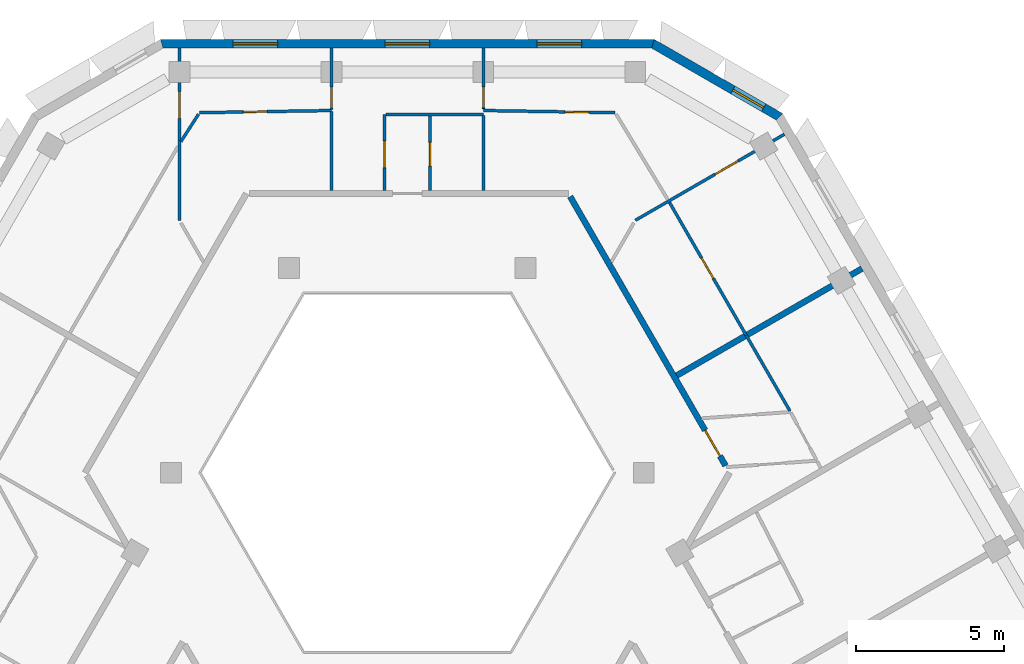
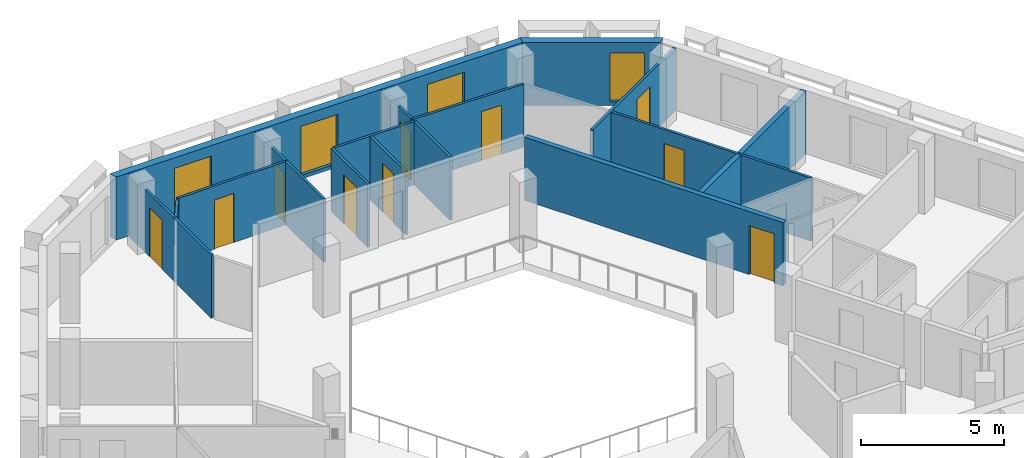
# One storey, part 7 of 14: 18 walls, 10 doors, 4 windows, 14 openings.
"""IFC4 building model written with IfcOpenShell, lengths in metres."""

from ifc_helpers import new_model, si_unit, direction, frame, frame_2d, origin, place, context, subcontext, project, spatial, polyline, rectangle, outline, extrude, material, layer, layer_set, type_object, element, fill, save


model = new_model("IFC4")

# Units and contexts
model_context = context("Model", 3, precision=1e-05, world=origin(), true_north=direction((0.0, 1.0)))
body_context = subcontext(model_context, "Body", "Model", "MODEL_VIEW")
ifc_project = project(units=[si_unit("LENGTHUNIT", "METRE"), si_unit("AREAUNIT", "SQUARE_METRE"), si_unit("VOLUMEUNIT", "CUBIC_METRE"), si_unit("PLANEANGLEUNIT", "RADIAN"), si_unit("MASSUNIT", "GRAM", prefix="KILO")], contexts=[model_context])

# Site, building, storey
site_placement = place(None, origin())
site = spatial("IfcSite", under=ifc_project, at=site_placement, CompositionType="ELEMENT")
building_placement = place(site_placement, origin())
building = spatial("IfcBuilding", under=site, at=building_placement, Name="Beryl Residences", CompositionType="ELEMENT")
storey_placement = place(building_placement, frame((0.0, 0.0, 229.800048828125)))
storey = spatial("IfcBuildingStorey", under=building, at=storey_placement, Name="L71", CompositionType="ELEMENT", Elevation=229.800048828125)

# Wall, openings, windows
ifc_material_1 = material(Name="Composite metal panel with mineral wool insulation")
ifc_layer_1 = layer(ifc_material_1, 0.300048828125)
ifc_layer_set_1 = layer_set([ifc_layer_1], Name="ES1 pale metal composite panel wall 300 mm")
wall_type_1 = type_object("IfcWallType", Name="ES1 pale metal composite panel wall 300 mm", PredefinedType="SOLIDWALL", material=ifc_layer_set_1)
wall_1_placement = place(storey_placement, frame((8.31396484375, 22.449951171875, 0.0), z_axis=(0.0, 0.0, 1.0), x_axis=(-1.0, 0.0, 0.0)))
wall_1 = element("IfcWall", 1, at=wall_1_placement, inside=storey, type_object=wall_type_1, Name="ES1 external wall L71 N", PredefinedType="SOLIDWALL", context=body_context, shape_type="SweptSolid", body=[
    extrude(outline(polyline([(0.0, -0.14990234375), (16.6279296875, -0.14990234375), (16.547607421875, 0.14990234375), (0.080322265625, 0.14990234375), (0.0, -0.14990234375)])), origin(), (0.0, 0.0, 1.0), 2.699951171875),
])
opening_1_placement = place(wall_1_placement, frame((2.444091796875, 0.0, 0.14990234375)))
opening_1 = element("IfcOpeningElement", 2, at=opening_1_placement, cuts=wall_1, Name="Opening W1", PredefinedType="OPENING", context=body_context, shape_type="SweptSolid", body=[
    extrude(rectangle(XDim=1.5, YDim=2.10009765625, at=frame_2d((0.75, 1.050048828125))), frame((0.0, 0.159912109375, 0.0), z_axis=(0.0, -1.0, 0.0), x_axis=(1.0, 0.0, 0.0)), (0.0, 0.0, 1.0), 0.320068359375),
])
opening_2_placement = place(wall_1_placement, frame((7.56396484375, 0.0, 0.14990234375)))
opening_2 = element("IfcOpeningElement", 3, at=opening_2_placement, cuts=wall_1, Name="Opening W1", PredefinedType="OPENING", context=body_context, shape_type="SweptSolid", body=[
    extrude(rectangle(XDim=1.5, YDim=2.10009765625, at=frame_2d((0.75, 1.050048828125))), frame((0.0, 0.159912109375, 0.0), z_axis=(0.0, -1.0, 0.0), x_axis=(1.0, 0.0, 0.0)), (0.0, 0.0, 1.0), 0.320068359375),
])
opening_3_placement = place(wall_1_placement, frame((12.68310546875, 0.0, 0.14990234375)))
opening_3 = element("IfcOpeningElement", 4, at=opening_3_placement, cuts=wall_1, Name="Opening W1", PredefinedType="OPENING", context=body_context, shape_type="SweptSolid", body=[
    extrude(rectangle(XDim=1.5, YDim=2.10009765625, at=frame_2d((0.75, 1.050048828125))), frame((0.0, 0.159912109375, 0.0), z_axis=(0.0, -1.0, 0.0), x_axis=(1.0, 0.0, 0.0)), (0.0, 0.0, 1.0), 0.320068359375),
])
ifc_material_2 = material(Name="Aluminium and clear glass", Category="aluminium")
window_type_1 = type_object("IfcWindowType", Name="W1 cell window 1500 x 2100 mm", PartitioningType="SINGLE_PANEL", PredefinedType="WINDOW", material=ifc_material_2)
window_1_placement = place(opening_1_placement, origin())
window_1 = element("IfcWindow", 5, at=window_1_placement, inside=storey, type_object=window_type_1, Name="W1 window L71 N 2", OverallHeight=2.10009765625, OverallWidth=1.5, PartitioningType="SINGLE_PANEL", PredefinedType="WINDOW", context=body_context, shape_type="SweptSolid", body=[
    extrude(rectangle(XDim=1.5, YDim=2.10009765625, at=frame_2d((0.75, 1.050048828125))), frame((0.0, 0.030029296875, 0.0), z_axis=(0.0, -1.0, 0.0), x_axis=(1.0, 0.0, 0.0)), (0.0, 0.0, 1.0), 0.06005859375),
])
fill(opening_1, window_1)
window_2_placement = place(opening_2_placement, origin())
window_2 = element("IfcWindow", 6, at=window_2_placement, inside=storey, type_object=window_type_1, Name="W1 window L71 N 4", OverallHeight=2.10009765625, OverallWidth=1.5, PartitioningType="SINGLE_PANEL", PredefinedType="WINDOW", context=body_context, shape_type="SweptSolid", body=[
    extrude(rectangle(XDim=1.5, YDim=2.10009765625, at=frame_2d((0.75, 1.050048828125))), frame((0.0, 0.030029296875, 0.0), z_axis=(0.0, -1.0, 0.0), x_axis=(1.0, 0.0, 0.0)), (0.0, 0.0, 1.0), 0.06005859375),
])
fill(opening_2, window_2)
window_3_placement = place(opening_3_placement, origin())
window_3 = element("IfcWindow", 7, at=window_3_placement, inside=storey, type_object=window_type_1, Name="W1 window L71 N 6", OverallHeight=2.10009765625, OverallWidth=1.5, PartitioningType="SINGLE_PANEL", PredefinedType="WINDOW", context=body_context, shape_type="SweptSolid", body=[
    extrude(rectangle(XDim=1.5, YDim=2.10009765625, at=frame_2d((0.75, 1.050048828125))), frame((0.0, 0.030029296875, 0.0), z_axis=(0.0, -1.0, 0.0), x_axis=(1.0, 0.0, 0.0)), (0.0, 0.0, 1.0), 0.06005859375),
])
fill(opening_3, window_3)

# Wall, opening, window
wall_2_placement = place(storey_placement, frame((12.569091796875, 19.969970703125, 0.0), z_axis=(0.0, 0.0, 1.0), x_axis=(-0.866022959057, 0.500004234368, 0.0)))
wall_2 = element("IfcWall", 8, at=wall_2_placement, inside=storey, type_object=wall_type_1, Name="ES1 external wall L71 NE-N", PredefinedType="SOLIDWALL", context=body_context, shape_type="SweptSolid", body=[
    extrude(outline(polyline([(0.0, -0.14990234375), (5.0, -0.14990234375), (4.919677734375, 0.14990234375), (0.080322265625, 0.14990234375), (0.0, -0.14990234375)])), origin(), (0.0, 0.0, 1.0), 2.699951171875),
])
opening_4_placement = place(wall_2_placement, frame((0.64990234375, 0.0, 0.14990234375)))
opening_4 = element("IfcOpeningElement", 9, at=opening_4_placement, cuts=wall_2, Name="Opening W2", PredefinedType="OPENING", context=body_context, shape_type="SweptSolid", body=[
    extrude(rectangle(XDim=1.199951171875, YDim=2.10009765625, at=frame_2d((0.60009765625, 1.050048828125))), frame((0.0, 0.159912109375, 0.0), z_axis=(0.0, -1.0, 0.0), x_axis=(1.0, 0.0, 0.0)), (0.0, 0.0, 1.0), 0.320068359375),
])
ifc_material_3 = material(Name="Aluminium and clear glass", Category="aluminium")
window_type_2 = type_object("IfcWindowType", Name="W2 chamfer window 1200 x 2100 mm", PartitioningType="SINGLE_PANEL", PredefinedType="WINDOW", material=ifc_material_3)
window_4_placement = place(opening_4_placement, origin())
window_4 = element("IfcWindow", 10, at=window_4_placement, inside=storey, type_object=window_type_2, Name="W2 window L71 NE-N 1", OverallHeight=2.10009765625, OverallWidth=1.199951171875, PartitioningType="SINGLE_PANEL", PredefinedType="WINDOW", context=body_context, shape_type="SweptSolid", body=[
    extrude(rectangle(XDim=1.199951171875, YDim=2.10009765625, at=frame_2d((0.60009765625, 1.050048828125))), frame((0.0, 0.030029296875, 0.0), z_axis=(0.0, -1.0, 0.0), x_axis=(1.0, 0.0, 0.0)), (0.0, 0.0, 1.0), 0.06005859375),
])
fill(opening_4, window_4)

# Wall, opening, door
ifc_material_4 = material(Name="Gypsum board partition on steel studs", Category="steel")
ifc_layer_2 = layer(ifc_material_4, 0.10009765625)
ifc_layer_set_2 = layer_set([ifc_layer_2], Name="PT1 partition 100 mm gypsum board on steel studs")
wall_type_2 = type_object("IfcWallType", Name="PT1 partition 100 mm gypsum board on steel studs", PredefinedType="PARTITIONING", material=ifc_layer_set_2)
wall_3_placement = place(storey_placement, frame((8.8291015625, 17.10693359375, 0.0), z_axis=(0.0, 0.0, 1.0), x_axis=(0.500035512416, -0.866004899711, 0.0)))
wall_3 = element("IfcWall", 11, at=wall_3_placement, inside=storey, type_object=wall_type_2, Name="Wall PT1 L71 004", PredefinedType="PARTITIONING", context=body_context, shape_type="SweptSolid", body=[
    extrude(rectangle(XDim=5.17529296875, YDim=0.10009765625, at=frame_2d((2.587646484375, 0.0))), origin(), (0.0, 0.0, 1.0), 2.699951171875),
])
opening_5_placement = place(wall_3_placement, frame((2.1630859375, 0.0, 0.0)))
opening_5 = element("IfcOpeningElement", 12, at=opening_5_placement, cuts=wall_3, Name="Opening D2207", PredefinedType="OPENING", context=body_context, shape_type="SweptSolid", body=[
    extrude(rectangle(XDim=0.800048828125, YDim=2.10009765625, at=frame_2d((0.39990234375, 1.050048828125))), frame((0.0, 0.06005859375, 0.0), z_axis=(0.0, -1.0, 0.0), x_axis=(1.0, 0.0, 0.0)), (0.0, 0.0, 1.0), 0.1201171875),
])
ifc_material_5 = material(Name="Timber door leaf", Category="wood")
door_type_1 = type_object("IfcDoorType", Name="D3 bathroom door 800 x 2100 mm", OperationType="SINGLE_SWING_LEFT", PredefinedType="DOOR", material=ifc_material_5)
door_1_placement = place(opening_5_placement, origin())
door_1 = element("IfcDoor", 13, at=door_1_placement, inside=storey, type_object=door_type_1, Name="Door D2207 L71 001", OperationType="SINGLE_SWING_LEFT", OverallHeight=2.10009765625, OverallWidth=0.800048828125, PredefinedType="DOOR", context=body_context, shape_type="SweptSolid", body=[
    extrude(rectangle(XDim=0.800048828125, YDim=2.10009765625, at=frame_2d((0.39990234375, 1.050048828125))), frame((0.0, 0.02490234375, 0.0), z_axis=(0.0, -1.0, 0.0), x_axis=(1.0, 0.0, 0.0)), (0.0, 0.0, 1.0), 0.050048828125),
])
fill(opening_5, door_1)

# Wall
wall_4_placement = place(storey_placement, frame((-2.55908203125, 20.169921875, 0.0), z_axis=(0.0, 0.0, 1.0), x_axis=(0.0, -1.0, 0.0)))
element("IfcWall", 14, at=wall_4_placement, inside=storey, type_object=wall_type_2, Name="Wall PT1 L71 010", PredefinedType="PARTITIONING", context=body_context, shape_type="SweptSolid", body=[
    extrude(rectangle(XDim=2.669921875, YDim=0.10009765625, at=frame_2d((1.3349609375, 0.0))), origin(), (0.0, 0.0, 1.0), 2.699951171875),
])

# Wall, opening, door
wall_5_placement = place(storey_placement, frame((2.56005859375, 22.300048828125, 0.0), z_axis=(0.0, 0.0, 1.0), x_axis=(0.0, -1.0, 0.0)))
wall_5 = element("IfcWall", 15, at=wall_5_placement, inside=storey, type_object=wall_type_2, Name="Wall PT1 L71 011", PredefinedType="PARTITIONING", context=body_context, shape_type="SweptSolid", body=[
    extrude(rectangle(XDim=2.050048828125, YDim=0.10009765625, at=frame_2d((1.02490234375, 0.0))), origin(), (0.0, 0.0, 1.0), 2.699951171875),
])
opening_6_placement = place(wall_5_placement, frame((1.300048828125, 0.0, 0.0)))
opening_6 = element("IfcOpeningElement", 16, at=opening_6_placement, cuts=wall_5, Name="Opening D2205", PredefinedType="OPENING", context=body_context, shape_type="SweptSolid", body=[
    extrude(rectangle(XDim=0.699951171875, YDim=2.10009765625, at=frame_2d((0.35009765625, 1.050048828125))), frame((0.0, 0.06005859375, 0.0), z_axis=(0.0, -1.0, 0.0), x_axis=(1.0, 0.0, 0.0)), (0.0, 0.0, 1.0), 0.1201171875),
])
ifc_material_6 = material(Name="Timber door leaf", Category="wood")
door_type_2 = type_object("IfcDoorType", Name="D14 room door 700 x 2100 mm", OperationType="SINGLE_SWING_LEFT", PredefinedType="DOOR", material=ifc_material_6)
door_2_placement = place(opening_6_placement, origin())
door_2 = element("IfcDoor", 17, at=door_2_placement, inside=storey, type_object=door_type_2, Name="Door D2205 L71 001", OperationType="SINGLE_SWING_LEFT", OverallHeight=2.10009765625, OverallWidth=0.699951171875, PredefinedType="DOOR", context=body_context, shape_type="SweptSolid", body=[
    extrude(rectangle(XDim=0.699951171875, YDim=2.10009765625, at=frame_2d((0.35009765625, 1.050048828125))), frame((0.0, 0.02490234375, 0.0), z_axis=(0.0, -1.0, 0.0), x_axis=(1.0, 0.0, 0.0)), (0.0, 0.0, 1.0), 0.050048828125),
])
fill(opening_6, door_2)

# Wall
wall_6_placement = place(storey_placement, frame((2.56005859375, 20.030029296875, 0.0), z_axis=(0.0, 0.0, 1.0), x_axis=(0.0, -1.0, 0.0)))
element("IfcWall", 18, at=wall_6_placement, inside=storey, type_object=wall_type_2, Name="Wall PT1 L71 012", PredefinedType="PARTITIONING", context=body_context, shape_type="SweptSolid", body=[
    extrude(rectangle(XDim=2.530029296875, YDim=0.10009765625, at=frame_2d((1.26513671875, 0.0))), origin(), (0.0, 0.0, 1.0), 2.699951171875),
])

# Wall, opening, door
wall_7_placement = place(storey_placement, frame((2.56005859375, 20.199951171875, 0.0), z_axis=(0.0, 0.0, 1.0), x_axis=(0.999868576801, -0.016212005615, 0.0)))
wall_7 = element("IfcWall", 19, at=wall_7_placement, inside=storey, type_object=wall_type_2, Name="Wall PT1 L71 013", PredefinedType="PARTITIONING", context=body_context, shape_type="SweptSolid", body=[
    extrude(rectangle(XDim=4.4423828125, YDim=0.10009765625, at=frame_2d((2.22119140625, 0.0))), origin(), (0.0, 0.0, 1.0), 2.699951171875),
])
opening_7_placement = place(wall_7_placement, frame((2.74609375, 0.0, 0.0)))
opening_7 = element("IfcOpeningElement", 20, at=opening_7_placement, cuts=wall_7, Name="Opening D2208", PredefinedType="OPENING", context=body_context, shape_type="SweptSolid", body=[
    extrude(rectangle(XDim=0.800048828125, YDim=2.10009765625, at=frame_2d((0.39990234375, 1.050048828125))), frame((0.0, 0.06005859375, 0.0), z_axis=(0.0, -1.0, 0.0), x_axis=(1.0, 0.0, 0.0)), (0.0, 0.0, 1.0), 0.1201171875),
])
door_3_placement = place(opening_7_placement, origin())
door_3 = element("IfcDoor", 21, at=door_3_placement, inside=storey, type_object=door_type_1, Name="Door D2208 L71 001", OperationType="SINGLE_SWING_RIGHT", OverallHeight=2.10009765625, OverallWidth=0.800048828125, PredefinedType="DOOR", context=body_context, shape_type="SweptSolid", body=[
    extrude(rectangle(XDim=0.800048828125, YDim=2.10009765625, at=frame_2d((0.39990234375, 1.050048828125))), frame((0.0, 0.02490234375, 0.0), z_axis=(0.0, -1.0, 0.0), x_axis=(1.0, 0.0, 0.0)), (0.0, 0.0, 1.0), 0.050048828125),
])
fill(opening_7, door_3)

# Walls
wall_8_placement = place(storey_placement, frame((-0.716064453125, 20.06005859375, 0.0), z_axis=(0.0, 0.0, 1.0), x_axis=(1.0, 0.0, 0.0)))
element("IfcWall", 22, at=wall_8_placement, inside=storey, type_object=wall_type_2, Name="Wall PT1 L71 021", PredefinedType="PARTITIONING", context=body_context, shape_type="SweptSolid", body=[
    extrude(rectangle(XDim=3.276123046875, YDim=0.10009765625, at=frame_2d((1.63818359375, 0.0))), origin(), (0.0, 0.0, 1.0), 2.699951171875),
])
wall_9_placement = place(storey_placement, frame((-7.6279296875, 19.154052734375, 0.0), z_axis=(0.0, 0.0, 1.0), x_axis=(0.540600102017, 0.841279697663, 0.0)))
element("IfcWall", 23, at=wall_9_placement, inside=storey, type_object=wall_type_2, Name="Wall PT1 L71 022", PredefinedType="PARTITIONING", context=body_context, shape_type="SweptSolid", body=[
    extrude(rectangle(XDim=1.096923828125, YDim=0.10009765625, at=frame_2d((0.54833984375, 0.0))), origin(), (0.0, 0.0, 1.0), 2.699951171875),
])

# Wall, opening, door
wall_10_placement = place(storey_placement, frame((0.76806640625, 17.5, 0.0), z_axis=(0.0, 0.0, 1.0), x_axis=(0.0, 1.0, 0.0)))
wall_10 = element("IfcWall", 24, at=wall_10_placement, inside=storey, type_object=wall_type_2, Name="Wall PT1 L71 027", PredefinedType="PARTITIONING", context=body_context, shape_type="SweptSolid", body=[
    extrude(rectangle(XDim=2.510009765625, YDim=0.10009765625, at=frame_2d((1.2548828125, 0.0))), origin(), (0.0, 0.0, 1.0), 2.699951171875),
])
opening_8_placement = place(wall_10_placement, frame((0.830078125, 0.0, 0.0)))
opening_8 = element("IfcOpeningElement", 25, at=opening_8_placement, cuts=wall_10, Name="Opening D2203", PredefinedType="OPENING", context=body_context, shape_type="SweptSolid", body=[
    extrude(rectangle(XDim=0.800048828125, YDim=2.10009765625, at=frame_2d((0.39990234375, 1.050048828125))), frame((0.0, 0.06005859375, 0.0), z_axis=(0.0, -1.0, 0.0), x_axis=(1.0, 0.0, 0.0)), (0.0, 0.0, 1.0), 0.1201171875),
])
door_4_placement = place(opening_8_placement, origin())
door_4 = element("IfcDoor", 26, at=door_4_placement, inside=storey, type_object=door_type_1, Name="Door D2203 L71 001", OperationType="SINGLE_SWING_LEFT", OverallHeight=2.10009765625, OverallWidth=0.800048828125, PredefinedType="DOOR", context=body_context, shape_type="SweptSolid", body=[
    extrude(rectangle(XDim=0.800048828125, YDim=2.10009765625, at=frame_2d((0.39990234375, 1.050048828125))), frame((0.0, 0.02490234375, 0.0), z_axis=(0.0, -1.0, 0.0), x_axis=(1.0, 0.0, 0.0)), (0.0, 0.0, 1.0), 0.050048828125),
])
fill(opening_8, door_4)

wall_11_placement = place(storey_placement, frame((-7.677978515625, 16.4990234375, 0.0), z_axis=(0.0, 0.0, 1.0), x_axis=(0.0, 1.0, 0.0)))
wall_11 = element("IfcWall", 27, at=wall_11_placement, inside=storey, type_object=wall_type_2, Name="Wall PT1 L71 028", PredefinedType="PARTITIONING", context=body_context, shape_type="SweptSolid", body=[
    extrude(rectangle(XDim=5.801025390625, YDim=0.10009765625, at=frame_2d((2.900390625, 0.0))), origin(), (0.0, 0.0, 1.0), 2.699951171875),
])
opening_9_placement = place(wall_11_placement, frame((3.43994140625, 0.0, 0.0)))
opening_9 = element("IfcOpeningElement", 28, at=opening_9_placement, cuts=wall_11, Name="Opening D2210", PredefinedType="OPENING", context=body_context, shape_type="SweptSolid", body=[
    extrude(rectangle(XDim=0.89990234375, YDim=2.10009765625, at=frame_2d((0.449951171875, 1.050048828125))), frame((0.0, 0.06005859375, 0.0), z_axis=(0.0, -1.0, 0.0), x_axis=(1.0, 0.0, 0.0)), (0.0, 0.0, 1.0), 0.1201171875),
])
ifc_material_7 = material(Name="Timber door leaf", Category="wood")
door_type_3 = type_object("IfcDoorType", Name="D2 room door 900 x 2100 mm", OperationType="SINGLE_SWING_LEFT", PredefinedType="DOOR", material=ifc_material_7)
door_5_placement = place(opening_9_placement, origin())
door_5 = element("IfcDoor", 29, at=door_5_placement, inside=storey, type_object=door_type_3, Name="Door D2210 L71 001", OperationType="SINGLE_SWING_RIGHT", OverallHeight=2.10009765625, OverallWidth=0.89990234375, PredefinedType="DOOR", context=body_context, shape_type="SweptSolid", body=[
    extrude(rectangle(XDim=0.89990234375, YDim=2.10009765625, at=frame_2d((0.449951171875, 1.050048828125))), frame((0.0, 0.02490234375, 0.0), z_axis=(0.0, -1.0, 0.0), x_axis=(1.0, 0.0, 0.0)), (0.0, 0.0, 1.0), 0.050048828125),
])
fill(opening_9, door_5)

wall_12_placement = place(storey_placement, frame((-0.76708984375, 17.5, 0.0), z_axis=(0.0, 0.0, 1.0), x_axis=(0.0, 1.0, 0.0)))
wall_12 = element("IfcWall", 30, at=wall_12_placement, inside=storey, type_object=wall_type_2, Name="Wall PT1 L71 029", PredefinedType="PARTITIONING", context=body_context, shape_type="SweptSolid", body=[
    extrude(rectangle(XDim=2.55908203125, YDim=0.10009765625, at=frame_2d((1.279541015625, 0.0))), origin(), (0.0, 0.0, 1.0), 2.699951171875),
])
opening_10_placement = place(wall_12_placement, frame((0.780029296875, 0.0, 0.0)))
opening_10 = element("IfcOpeningElement", 31, at=opening_10_placement, cuts=wall_12, Name="Opening D2202", PredefinedType="OPENING", context=body_context, shape_type="SweptSolid", body=[
    extrude(rectangle(XDim=0.89990234375, YDim=2.10009765625, at=frame_2d((0.449951171875, 1.050048828125))), frame((0.0, 0.06005859375, 0.0), z_axis=(0.0, -1.0, 0.0), x_axis=(1.0, 0.0, 0.0)), (0.0, 0.0, 1.0), 0.1201171875),
])
door_6_placement = place(opening_10_placement, origin())
door_6 = element("IfcDoor", 32, at=door_6_placement, inside=storey, type_object=door_type_3, Name="Door D2202 L71 001", OperationType="SINGLE_SWING_RIGHT", OverallHeight=2.10009765625, OverallWidth=0.89990234375, PredefinedType="DOOR", context=body_context, shape_type="SweptSolid", body=[
    extrude(rectangle(XDim=0.89990234375, YDim=2.10009765625, at=frame_2d((0.449951171875, 1.050048828125))), frame((0.0, 0.02490234375, 0.0), z_axis=(0.0, -1.0, 0.0), x_axis=(1.0, 0.0, 0.0)), (0.0, 0.0, 1.0), 0.050048828125),
])
fill(opening_10, door_6)

wall_13_placement = place(storey_placement, frame((-2.55908203125, 20.22998046875, 0.0), z_axis=(0.0, 0.0, 1.0), x_axis=(0.0, 1.0, 0.0)))
wall_13 = element("IfcWall", 33, at=wall_13_placement, inside=storey, type_object=wall_type_2, Name="Wall PT1 L71 030", PredefinedType="PARTITIONING", context=body_context, shape_type="SweptSolid", body=[
    extrude(rectangle(XDim=2.070068359375, YDim=0.10009765625, at=frame_2d((1.03515625, 0.0))), origin(), (0.0, 0.0, 1.0), 2.699951171875),
])
opening_11_placement = place(wall_13_placement, frame((0.06005859375, 0.0, 0.0)))
opening_11 = element("IfcOpeningElement", 34, at=opening_11_placement, cuts=wall_13, Name="Opening D2204", PredefinedType="OPENING", context=body_context, shape_type="SweptSolid", body=[
    extrude(rectangle(XDim=0.699951171875, YDim=2.10009765625, at=frame_2d((0.35009765625, 1.050048828125))), frame((0.0, 0.06005859375, 0.0), z_axis=(0.0, -1.0, 0.0), x_axis=(1.0, 0.0, 0.0)), (0.0, 0.0, 1.0), 0.1201171875),
])
door_7_placement = place(opening_11_placement, origin())
door_7 = element("IfcDoor", 35, at=door_7_placement, inside=storey, type_object=door_type_2, Name="Door D2204 L71 001", OperationType="SINGLE_SWING_RIGHT", OverallHeight=2.10009765625, OverallWidth=0.699951171875, PredefinedType="DOOR", context=body_context, shape_type="SweptSolid", body=[
    extrude(rectangle(XDim=0.699951171875, YDim=2.10009765625, at=frame_2d((0.35009765625, 1.050048828125))), frame((0.0, 0.02490234375, 0.0), z_axis=(0.0, -1.0, 0.0), x_axis=(1.0, 0.0, 0.0)), (0.0, 0.0, 1.0), 0.050048828125),
])
fill(opening_11, door_7)

wall_14_placement = place(storey_placement, frame((-7.001953125, 20.1279296875, 0.0), z_axis=(0.0, 0.0, 1.0), x_axis=(0.999868634558, 0.016208443081, 0.0)))
wall_14 = element("IfcWall", 36, at=wall_14_placement, inside=storey, type_object=wall_type_2, Name="Wall PT1 L71 031", PredefinedType="PARTITIONING", context=body_context, shape_type="SweptSolid", body=[
    extrude(rectangle(XDim=4.443359375, YDim=0.10009765625, at=frame_2d((2.2216796875, 0.0))), origin(), (0.0, 0.0, 1.0), 2.699951171875),
])
opening_12_placement = place(wall_14_placement, frame((1.47509765625, 0.0, 0.0)))
opening_12 = element("IfcOpeningElement", 37, at=opening_12_placement, cuts=wall_14, Name="Opening D2209", PredefinedType="OPENING", context=body_context, shape_type="SweptSolid", body=[
    extrude(rectangle(XDim=0.800048828125, YDim=2.10009765625, at=frame_2d((0.39990234375, 1.050048828125))), frame((0.0, 0.06005859375, 0.0), z_axis=(0.0, -1.0, 0.0), x_axis=(1.0, 0.0, 0.0)), (0.0, 0.0, 1.0), 0.1201171875),
])
door_8_placement = place(opening_12_placement, origin())
door_8 = element("IfcDoor", 38, at=door_8_placement, inside=storey, type_object=door_type_1, Name="Door D2209 L71 001", OperationType="SINGLE_SWING_LEFT", OverallHeight=2.10009765625, OverallWidth=0.800048828125, PredefinedType="DOOR", context=body_context, shape_type="SweptSolid", body=[
    extrude(rectangle(XDim=0.800048828125, YDim=2.10009765625, at=frame_2d((0.39990234375, 1.050048828125))), frame((0.0, 0.02490234375, 0.0), z_axis=(0.0, -1.0, 0.0), x_axis=(1.0, 0.0, 0.0)), (0.0, 0.0, 1.0), 0.050048828125),
])
fill(opening_12, door_8)

wall_15_placement = place(storey_placement, frame((7.679931640625, 16.5009765625, 0.0), z_axis=(0.0, 0.0, 1.0), x_axis=(0.86602149507, 0.500006770031, 0.0)))
wall_15 = element("IfcWall", 39, at=wall_15_placement, inside=storey, type_object=wall_type_2, Name="Wall PT1 L71 034", PredefinedType="PARTITIONING", context=body_context, shape_type="SweptSolid", body=[
    extrude(rectangle(XDim=5.7978515625, YDim=0.10009765625, at=frame_2d((2.89892578125, 0.0))), origin(), (0.0, 0.0, 1.0), 2.699951171875),
])
opening_13_placement = place(wall_15_placement, frame((3.097900390625, 0.0, 0.0)))
opening_13 = element("IfcOpeningElement", 40, at=opening_13_placement, cuts=wall_15, Name="Opening D2206", PredefinedType="OPENING", context=body_context, shape_type="SweptSolid", body=[
    extrude(rectangle(XDim=0.89990234375, YDim=2.10009765625, at=frame_2d((0.449951171875, 1.050048828125))), frame((0.0, 0.06005859375, 0.0), z_axis=(0.0, -1.0, 0.0), x_axis=(1.0, 0.0, 0.0)), (0.0, 0.0, 1.0), 0.1201171875),
])
door_9_placement = place(opening_13_placement, origin())
door_9 = element("IfcDoor", 41, at=door_9_placement, inside=storey, type_object=door_type_3, Name="Door D2206 L71 001", OperationType="SINGLE_SWING_RIGHT", OverallHeight=2.10009765625, OverallWidth=0.89990234375, PredefinedType="DOOR", context=body_context, shape_type="SweptSolid", body=[
    extrude(rectangle(XDim=0.89990234375, YDim=2.10009765625, at=frame_2d((0.449951171875, 1.050048828125))), frame((0.0, 0.02490234375, 0.0), z_axis=(0.0, -1.0, 0.0), x_axis=(1.0, 0.0, 0.0)), (0.0, 0.0, 1.0), 0.050048828125),
])
fill(opening_13, door_9)

# Walls
wall_16_placement = place(storey_placement, frame((11.4169921875, 12.625, 0.0), z_axis=(0.0, 0.0, 1.0), x_axis=(0.500055103712, -0.865993587304, 0.0)))
element("IfcWall", 42, at=wall_16_placement, inside=storey, type_object=wall_type_2, Name="Wall PT1 L71 041", PredefinedType="PARTITIONING", context=body_context, shape_type="SweptSolid", body=[
    extrude(rectangle(XDim=2.943603515625, YDim=0.10009765625, at=frame_2d((1.4716796875, 0.0))), origin(), (0.0, 0.0, 1.0), 2.699951171875),
])
ifc_material_8 = material(Name="Acoustic double stud gypsum board wall")
ifc_layer_3 = layer(ifc_material_8, 0.199951171875)
ifc_layer_set_3 = layer_set([ifc_layer_3], Name="PT3 party wall 200 mm acoustic double stud")
wall_type_3 = type_object("IfcWallType", Name="PT3 party wall 200 mm acoustic double stud", PredefinedType="PARTITIONING", material=ifc_layer_set_3)
wall_17_placement = place(storey_placement, frame((9.0791015625, 11.27490234375, 0.0), z_axis=(0.0, 0.0, 1.0), x_axis=(0.866001485781, 0.500041424909, 0.0)))
element("IfcWall", 43, at=wall_17_placement, inside=storey, type_object=wall_type_3, Name="Wall PT3 L71 010", PredefinedType="PARTITIONING", context=body_context, shape_type="SweptSolid", body=[
    extrude(rectangle(XDim=7.19970703125, YDim=0.199951171875, at=frame_2d((3.599853515625, 0.0))), origin(), (0.0, 0.0, 1.0), 2.699951171875),
])

# Wall, opening, door
ifc_material_9 = material(Name="Double stud gypsum board wall")
ifc_layer_4 = layer(ifc_material_9, 0.199951171875)
ifc_layer_set_4 = layer_set([ifc_layer_4], Name="PT4 corridor wall 200 mm double stud")
wall_type_4 = type_object("IfcWallType", Name="PT4 corridor wall 200 mm double stud", PredefinedType="PARTITIONING", material=ifc_layer_set_4)
wall_18_placement = place(storey_placement, frame((5.485107421875, 17.300048828125, 0.0), z_axis=(0.0, 0.0, 1.0), x_axis=(0.500017221754, -0.866015460572, 0.0)))
wall_18 = element("IfcWall", 44, at=wall_18_placement, inside=storey, type_object=wall_type_4, Name="Wall PT4 L71 006", PredefinedType="PARTITIONING", context=body_context, shape_type="SweptSolid", body=[
    extrude(rectangle(XDim=10.467529296875, YDim=0.199951171875, at=frame_2d((5.23388671875, 0.0))), origin(), (0.0, 0.0, 1.0), 2.699951171875),
])
opening_14_placement = place(wall_18_placement, frame((9.092041015625, 0.0, 0.0)))
opening_14 = element("IfcOpeningElement", 45, at=opening_14_placement, cuts=wall_18, Name="Opening D2230", PredefinedType="OPENING", context=body_context, shape_type="SweptSolid", body=[
    extrude(rectangle(XDim=1.0, YDim=2.10009765625, at=frame_2d((0.5, 1.050048828125))), frame((0.0, 0.10986328125, 0.0), z_axis=(0.0, -1.0, 0.0), x_axis=(1.0, 0.0, 0.0)), (0.0, 0.0, 1.0), 0.219970703125),
])
ifc_material_10 = material(Name="Timber door leaf", Category="wood")
door_type_4 = type_object("IfcDoorType", Name="D1 flat entrance door 1000 x 2100 mm", OperationType="SINGLE_SWING_LEFT", PredefinedType="DOOR", material=ifc_material_10)
door_10_placement = place(opening_14_placement, origin())
door_10 = element("IfcDoor", 46, at=door_10_placement, inside=storey, type_object=door_type_4, Name="Door D2230 L71 001", OperationType="SINGLE_SWING_RIGHT", OverallHeight=2.10009765625, OverallWidth=1.0, PredefinedType="DOOR", context=body_context, shape_type="SweptSolid", body=[
    extrude(rectangle(XDim=1.0, YDim=2.10009765625, at=frame_2d((0.5, 1.050048828125))), frame((0.0, 0.02490234375, 0.0), z_axis=(0.0, -1.0, 0.0), x_axis=(1.0, 0.0, 0.0)), (0.0, 0.0, 1.0), 0.050048828125),
])
fill(opening_14, door_10)

save(model, "model.ifc")
